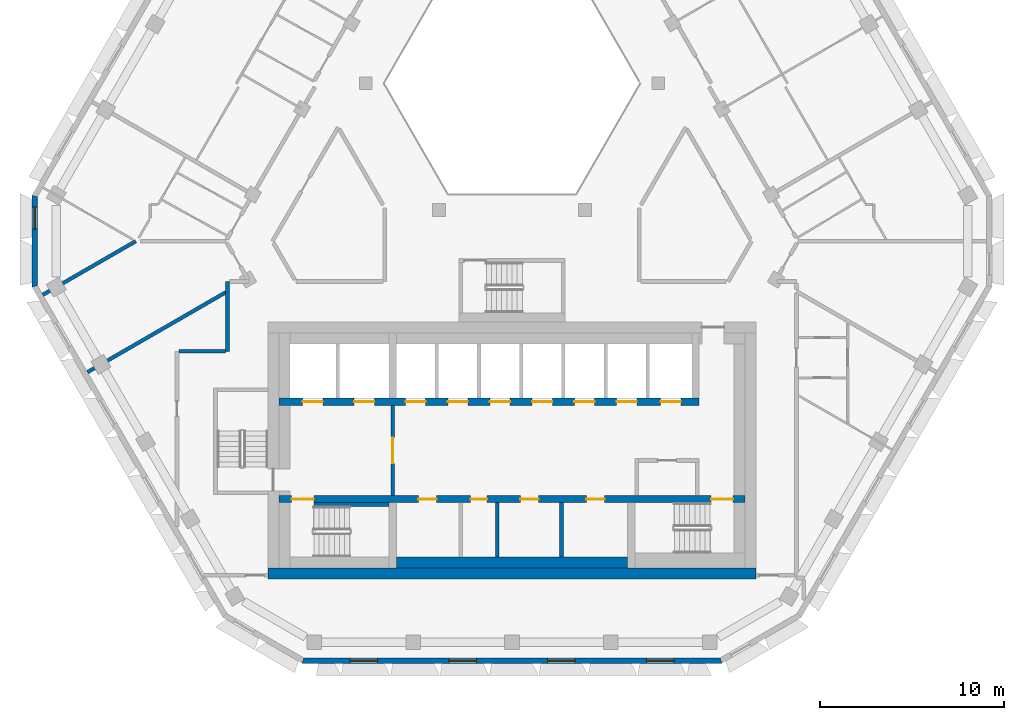
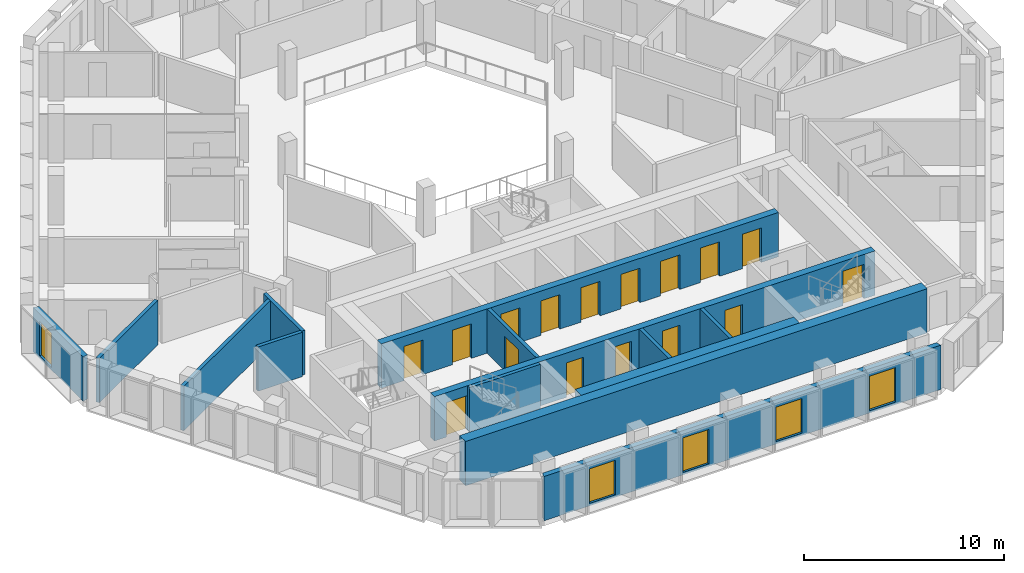
# One storey, part 3 of 15: 16 doors, 14 walls, 5 windows, 21 openings.
"""IFC4 building model written with IfcOpenShell, lengths in metres."""

from ifc_helpers import new_model, si_unit, direction, frame, frame_2d, origin, place, context, subcontext, project, spatial, polyline, rectangle, outline, extrude, material, layer, layer_set, type_object, element, fill, save


model = new_model("IFC4")

# Units and contexts
model_context = context("Model", 3, precision=1e-05, world=origin(), true_north=direction((0.0, 1.0)))
body_context = subcontext(model_context, "Body", "Model", "MODEL_VIEW")
ifc_project = project(units=[si_unit("LENGTHUNIT", "METRE"), si_unit("AREAUNIT", "SQUARE_METRE"), si_unit("VOLUMEUNIT", "CUBIC_METRE"), si_unit("PLANEANGLEUNIT", "RADIAN"), si_unit("MASSUNIT", "GRAM", prefix="KILO")], contexts=[model_context])

# Site, building, storey
site_placement = place(None, origin())
site = spatial("IfcSite", under=ifc_project, at=site_placement, CompositionType="ELEMENT")
building_placement = place(site_placement, origin())
building = spatial("IfcBuilding", under=site, at=building_placement, Name="Beryl Residences", CompositionType="ELEMENT")
storey_placement = place(building_placement, frame((0.0, 0.0, 193.199951171875)))
storey = spatial("IfcBuildingStorey", under=building, at=storey_placement, Name="L59", CompositionType="ELEMENT", Elevation=193.199951171875)

# Wall, opening, window
ifc_material_1 = material(Name="Composite metal panel with mineral wool insulation")
ifc_layer_1 = layer(ifc_material_1, 0.300048828125)
ifc_layer_set_1 = layer_set([ifc_layer_1], Name="ES1 pale metal composite panel wall 300 mm")
wall_type_1 = type_object("IfcWallType", Name="ES1 pale metal composite panel wall 300 mm", PredefinedType="SOLIDWALL", material=ifc_layer_set_1)
wall_1_placement = place(storey_placement, frame((-26.00390625, 1.89990234375, 0.0), z_axis=(0.0, 0.0, 1.0), x_axis=(0.0, -1.0, 0.0)))
wall_1 = element("IfcWall", 1, at=wall_1_placement, inside=storey, type_object=wall_type_1, Name="ES1 external wall L59 NW-SW", PredefinedType="SOLIDWALL", context=body_context, shape_type="SweptSolid", body=[
    extrude(outline(polyline([(0.0, -0.14990234375), (5.0, -0.14990234375), (4.919677734375, 0.14990234375), (0.080322265625, 0.14990234375), (0.0, -0.14990234375)])), origin(), (0.0, 0.0, 1.0), 2.699951171875),
])
opening_1_placement = place(wall_1_placement, frame((0.64990234375, 0.0, 0.14990234375)))
opening_1 = element("IfcOpeningElement", 2, at=opening_1_placement, cuts=wall_1, Name="Opening W2", PredefinedType="OPENING", context=body_context, shape_type="SweptSolid", body=[
    extrude(rectangle(XDim=1.199951171875, YDim=2.10009765625, at=frame_2d((0.60009765625, 1.050048828125))), frame((0.0, 0.159912109375, 0.0), z_axis=(0.0, -1.0, 0.0), x_axis=(1.0, 0.0, 0.0)), (0.0, 0.0, 1.0), 0.320068359375),
])
ifc_material_2 = material(Name="Aluminium and clear glass", Category="aluminium")
window_type_1 = type_object("IfcWindowType", Name="W2 chamfer window 1200 x 2100 mm", PartitioningType="SINGLE_PANEL", PredefinedType="WINDOW", material=ifc_material_2)
window_1_placement = place(opening_1_placement, origin())
window_1 = element("IfcWindow", 3, at=window_1_placement, inside=storey, type_object=window_type_1, Name="W2 window L59 NW-SW 1", OverallHeight=2.10009765625, OverallWidth=1.199951171875, PartitioningType="SINGLE_PANEL", PredefinedType="WINDOW", context=body_context, shape_type="SweptSolid", body=[
    extrude(rectangle(XDim=1.199951171875, YDim=2.10009765625, at=frame_2d((0.60009765625, 1.050048828125))), frame((0.0, 0.030029296875, 0.0), z_axis=(0.0, -1.0, 0.0), x_axis=(1.0, 0.0, 0.0)), (0.0, 0.0, 1.0), 0.06005859375),
])
fill(opening_1, window_1)

# Wall, openings, windows
wall_2_placement = place(storey_placement, frame((-11.430908203125, -23.449951171875, 0.0), z_axis=(0.0, 0.0, 1.0), x_axis=(1.0, 0.0, 0.0)))
wall_2 = element("IfcWall", 4, at=wall_2_placement, inside=storey, type_object=wall_type_1, Name="ES1 external wall L59 S", PredefinedType="SOLIDWALL", context=body_context, shape_type="SweptSolid", body=[
    extrude(outline(polyline([(0.0, -0.14990234375), (22.86181640625, -0.14990234375), (22.781494140625, 0.14990234375), (0.080322265625, 0.14990234375), (0.0, -0.14990234375)])), origin(), (0.0, 0.0, 1.0), 2.699951171875),
])
opening_2_placement = place(wall_2_placement, frame((2.60595703125, 0.0, 0.14990234375)))
opening_2 = element("IfcOpeningElement", 5, at=opening_2_placement, cuts=wall_2, Name="Opening W1", PredefinedType="OPENING", context=body_context, shape_type="SweptSolid", body=[
    extrude(rectangle(XDim=1.5, YDim=2.10009765625, at=frame_2d((0.75, 1.050048828125))), frame((0.0, 0.159912109375, 0.0), z_axis=(0.0, -1.0, 0.0), x_axis=(1.0, 0.0, 0.0)), (0.0, 0.0, 1.0), 0.320068359375),
])
opening_3_placement = place(wall_2_placement, frame((7.989990234375, 0.0, 0.14990234375)))
opening_3 = element("IfcOpeningElement", 6, at=opening_3_placement, cuts=wall_2, Name="Opening W1", PredefinedType="OPENING", context=body_context, shape_type="SweptSolid", body=[
    extrude(rectangle(XDim=1.5, YDim=2.10009765625, at=frame_2d((0.75, 1.050048828125))), frame((0.0, 0.159912109375, 0.0), z_axis=(0.0, -1.0, 0.0), x_axis=(1.0, 0.0, 0.0)), (0.0, 0.0, 1.0), 0.320068359375),
])
opening_4_placement = place(wall_2_placement, frame((13.3740234375, 0.0, 0.14990234375)))
opening_4 = element("IfcOpeningElement", 7, at=opening_4_placement, cuts=wall_2, Name="Opening W1", PredefinedType="OPENING", context=body_context, shape_type="SweptSolid", body=[
    extrude(rectangle(XDim=1.5, YDim=2.10009765625, at=frame_2d((0.75, 1.050048828125))), frame((0.0, 0.159912109375, 0.0), z_axis=(0.0, -1.0, 0.0), x_axis=(1.0, 0.0, 0.0)), (0.0, 0.0, 1.0), 0.320068359375),
])
opening_5_placement = place(wall_2_placement, frame((18.758056640625, 0.0, 0.14990234375)))
opening_5 = element("IfcOpeningElement", 8, at=opening_5_placement, cuts=wall_2, Name="Opening W1", PredefinedType="OPENING", context=body_context, shape_type="SweptSolid", body=[
    extrude(rectangle(XDim=1.5, YDim=2.10009765625, at=frame_2d((0.75, 1.050048828125))), frame((0.0, 0.159912109375, 0.0), z_axis=(0.0, -1.0, 0.0), x_axis=(1.0, 0.0, 0.0)), (0.0, 0.0, 1.0), 0.320068359375),
])
ifc_material_3 = material(Name="Aluminium and clear glass", Category="aluminium")
window_type_2 = type_object("IfcWindowType", Name="W1 cell window 1500 x 2100 mm", PartitioningType="SINGLE_PANEL", PredefinedType="WINDOW", material=ifc_material_3)
window_2_placement = place(opening_2_placement, origin())
window_2 = element("IfcWindow", 9, at=window_2_placement, inside=storey, type_object=window_type_2, Name="W1 window L59 S 2", OverallHeight=2.10009765625, OverallWidth=1.5, PartitioningType="SINGLE_PANEL", PredefinedType="WINDOW", context=body_context, shape_type="SweptSolid", body=[
    extrude(rectangle(XDim=1.5, YDim=2.10009765625, at=frame_2d((0.75, 1.050048828125))), frame((0.0, 0.030029296875, 0.0), z_axis=(0.0, -1.0, 0.0), x_axis=(1.0, 0.0, 0.0)), (0.0, 0.0, 1.0), 0.06005859375),
])
fill(opening_2, window_2)
window_3_placement = place(opening_3_placement, origin())
window_3 = element("IfcWindow", 10, at=window_3_placement, inside=storey, type_object=window_type_2, Name="W1 window L59 S 4", OverallHeight=2.10009765625, OverallWidth=1.5, PartitioningType="SINGLE_PANEL", PredefinedType="WINDOW", context=body_context, shape_type="SweptSolid", body=[
    extrude(rectangle(XDim=1.5, YDim=2.10009765625, at=frame_2d((0.75, 1.050048828125))), frame((0.0, 0.030029296875, 0.0), z_axis=(0.0, -1.0, 0.0), x_axis=(1.0, 0.0, 0.0)), (0.0, 0.0, 1.0), 0.06005859375),
])
fill(opening_3, window_3)
window_4_placement = place(opening_4_placement, origin())
window_4 = element("IfcWindow", 11, at=window_4_placement, inside=storey, type_object=window_type_2, Name="W1 window L59 S 6", OverallHeight=2.10009765625, OverallWidth=1.5, PartitioningType="SINGLE_PANEL", PredefinedType="WINDOW", context=body_context, shape_type="SweptSolid", body=[
    extrude(rectangle(XDim=1.5, YDim=2.10009765625, at=frame_2d((0.75, 1.050048828125))), frame((0.0, 0.030029296875, 0.0), z_axis=(0.0, -1.0, 0.0), x_axis=(1.0, 0.0, 0.0)), (0.0, 0.0, 1.0), 0.06005859375),
])
fill(opening_4, window_4)
window_5_placement = place(opening_5_placement, origin())
window_5 = element("IfcWindow", 12, at=window_5_placement, inside=storey, type_object=window_type_2, Name="W1 window L59 S 8", OverallHeight=2.10009765625, OverallWidth=1.5, PartitioningType="SINGLE_PANEL", PredefinedType="WINDOW", context=body_context, shape_type="SweptSolid", body=[
    extrude(rectangle(XDim=1.5, YDim=2.10009765625, at=frame_2d((0.75, 1.050048828125))), frame((0.0, 0.030029296875, 0.0), z_axis=(0.0, -1.0, 0.0), x_axis=(1.0, 0.0, 0.0)), (0.0, 0.0, 1.0), 0.06005859375),
])
fill(opening_5, window_5)

# Wall, opening, door
ifc_material_4 = material(Name="Concrete masonry", Category="masonry")
ifc_layer_2 = layer(ifc_material_4, 0.199951171875)
ifc_layer_set_2 = layer_set([ifc_layer_2], Name="PT13 lobby wall 200 mm")
wall_type_2 = type_object("IfcWallType", Name="PT13 lobby wall 200 mm", PredefinedType="PARTITIONING", material=ifc_layer_set_2)
wall_3_placement = place(storey_placement, frame((-6.5, -14.449951171875, 0.0), z_axis=(0.0, 0.0, 1.0), x_axis=(0.0, 1.0, 0.0)))
wall_3 = element("IfcWall", 13, at=wall_3_placement, inside=storey, type_object=wall_type_2, Name="Lobby wall 12", PredefinedType="PARTITIONING", context=body_context, shape_type="SweptSolid", body=[
    extrude(rectangle(XDim=4.89990234375, YDim=0.199951171875, at=frame_2d((2.449951171875, 0.0))), origin(), (0.0, 0.0, 1.0), 2.699951171875),
])
opening_6_placement = place(wall_3_placement, frame((3.14990234375, 0.0, 0.0), z_axis=(0.0, 0.0, 1.0), x_axis=(-1.0, 0.0, 0.0)))
opening_6 = element("IfcOpeningElement", 14, at=opening_6_placement, cuts=wall_3, Name="Opening FD-FFL", PredefinedType="OPENING", context=body_context, shape_type="SweptSolid", body=[
    extrude(rectangle(XDim=1.39990234375, YDim=2.10009765625, at=frame_2d((0.699951171875, 1.050048828125))), frame((0.0, 0.10986328125, 0.0), z_axis=(0.0, -1.0, 0.0), x_axis=(1.0, 0.0, 0.0)), (0.0, 0.0, 1.0), 0.219970703125),
])
ifc_material_5 = material(Name="Steel door leaf in steel frame", Category="steel")
door_type_1 = type_object("IfcDoorType", Name="D5 lobby door 1400 x 2100 mm", OperationType="DOUBLE_DOOR_SINGLE_SWING", PredefinedType="DOOR", material=ifc_material_5)
door_1_placement = place(opening_6_placement, origin())
door_1 = element("IfcDoor", 15, at=door_1_placement, inside=storey, type_object=door_type_1, Name="Door FD-FFL L59 001", OperationType="DOUBLE_DOOR_SINGLE_SWING", OverallHeight=2.10009765625, OverallWidth=1.39990234375, PredefinedType="DOOR", context=body_context, shape_type="SweptSolid", body=[
    extrude(rectangle(XDim=1.39990234375, YDim=2.10009765625, at=frame_2d((0.699951171875, 1.050048828125))), frame((0.0, 0.02490234375, 0.0), z_axis=(0.0, -1.0, 0.0), x_axis=(1.0, 0.0, 0.0)), (0.0, 0.0, 1.0), 0.050048828125),
])
fill(opening_6, door_1)

# Walls
ifc_material_6 = material(Name="Acoustic double stud gypsum board wall")
ifc_layer_3 = layer(ifc_material_6, 0.199951171875)
ifc_layer_set_3 = layer_set([ifc_layer_3], Name="PT3 party wall 200 mm acoustic double stud")
wall_type_3 = type_object("IfcWallType", Name="PT3 party wall 200 mm acoustic double stud", PredefinedType="PARTITIONING", material=ifc_layer_set_3)
wall_4_placement = place(storey_placement, frame((-23.1298828125, -7.737060546875, 0.0), z_axis=(0.0, 0.0, 1.0), x_axis=(0.86598451299, 0.500070818246, 0.0)))
element("IfcWall", 16, at=wall_4_placement, inside=storey, type_object=wall_type_3, Name="Wall PT3 L59 011", PredefinedType="PARTITIONING", context=body_context, shape_type="SweptSolid", body=[
    extrude(rectangle(XDim=8.695068359375, YDim=0.199951171875, at=frame_2d((4.34765625, 0.0))), origin(), (0.0, 0.0, 1.0), 2.699951171875),
])
wall_5_placement = place(storey_placement, frame((-25.56298828125, -3.52392578125, 0.0), z_axis=(0.0, 0.0, 1.0), x_axis=(0.866128586522, 0.499821239653, 0.0)))
element("IfcWall", 17, at=wall_5_placement, inside=storey, type_object=wall_type_3, Name="Wall PT3 L59 012", PredefinedType="PARTITIONING", context=body_context, shape_type="SweptSolid", body=[
    extrude(rectangle(XDim=5.847900390625, YDim=0.199951171875, at=frame_2d((2.923828125, 0.0))), origin(), (0.0, 0.0, 1.0), 2.699951171875),
])
ifc_material_7 = material(Name="Double stud gypsum board wall")
ifc_layer_4 = layer(ifc_material_7, 0.199951171875)
ifc_layer_set_4 = layer_set([ifc_layer_4], Name="PT4 corridor wall 200 mm double stud")
wall_type_4 = type_object("IfcWallType", Name="PT4 corridor wall 200 mm double stud", PredefinedType="PARTITIONING", material=ifc_layer_set_4)
wall_6_placement = place(storey_placement, frame((-18.14892578125, -6.60009765625, 0.0), z_axis=(0.0, 0.0, 1.0), x_axis=(1.0, 0.0, 0.0)))
element("IfcWall", 18, at=wall_6_placement, inside=storey, type_object=wall_type_4, Name="Wall PT4 L59 008", PredefinedType="PARTITIONING", context=body_context, shape_type="SweptSolid", body=[
    extrude(rectangle(XDim=2.548828125, YDim=0.199951171875, at=frame_2d((1.2744140625, 0.0))), origin(), (0.0, 0.0, 1.0), 2.699951171875),
])
wall_7_placement = place(storey_placement, frame((-15.5, -6.60009765625, 0.0), z_axis=(0.0, 0.0, 1.0), x_axis=(0.0, 1.0, 0.0)))
element("IfcWall", 19, at=wall_7_placement, inside=storey, type_object=wall_type_4, Name="Wall PT4 L59 024", PredefinedType="PARTITIONING", context=body_context, shape_type="SweptSolid", body=[
    extrude(rectangle(XDim=3.799072265625, YDim=0.199951171875, at=frame_2d((1.8994140625, 0.0))), origin(), (0.0, 0.0, 1.0), 2.699951171875),
])
ifc_material_8 = material(Name="Concrete C40/50", Category="concrete")
ifc_layer_5 = layer(ifc_material_8, 0.199951171875)
ifc_layer_set_5 = layer_set([ifc_layer_5], Name="PT5 stair enclosure wall 200 mm reinforced concrete C40/50")
wall_type_5 = type_object("IfcWallType", Name="PT5 stair enclosure wall 200 mm reinforced concrete C40/50", PredefinedType="SOLIDWALL", material=ifc_layer_set_5)
wall_8_placement = place(storey_placement, frame((-10.800048828125, -14.949951171875, 0.0), z_axis=(0.0, 0.0, 1.0), x_axis=(1.0, 0.0, 0.0)))
element("IfcWall", 20, at=wall_8_placement, inside=storey, type_object=wall_type_5, Name="Stair wall 10", PredefinedType="SOLIDWALL", context=body_context, shape_type="SweptSolid", body=[
    extrude(rectangle(XDim=4.10009765625, YDim=0.199951171875, at=frame_2d((2.050048828125, 0.0))), origin(), (0.0, 0.0, 1.0), 2.699951171875),
])
ifc_material_9 = material(Name="Concrete masonry", Category="masonry")
ifc_layer_6 = layer(ifc_material_9, 0.199951171875)
ifc_layer_set_6 = layer_set([ifc_layer_6], Name="PT8-200 service room wall 200 mm")
wall_type_6 = type_object("IfcWallType", Name="PT8-200 service room wall 200 mm", PredefinedType="PARTITIONING", material=ifc_layer_set_6)
for number, where, z_axis, x_axis, name in (
    (21, (-0.800048828125, -17.800048828125, 0.0), (0.0, 0.0, 1.0), (0.0, 1.0, 0.0), "Core room wall 18"),
    (22, (2.699951171875, -17.800048828125, 0.0), (0.0, 0.0, 1.0), (0.0, 1.0, 0.0), "Core room wall 20"),
):
    element("IfcWall", number, at=place(storey_placement, frame(where, z_axis=z_axis, x_axis=x_axis)), inside=storey, type_object=wall_type_6, Name=name, PredefinedType="PARTITIONING", context=body_context, shape_type="SweptSolid", body=[
        extrude(rectangle(XDim=2.949951171875, YDim=0.199951171875, at=frame_2d((1.47509765625, 0.0))), origin(), (0.0, 0.0, 1.0), 2.699951171875),
    ])
ifc_material_10 = material(Name="Concrete masonry", Category="masonry")
ifc_layer_7 = layer(ifc_material_10, 0.60009765625)
ifc_layer_set_7 = layer_set([ifc_layer_7], Name="PT8-600 service room wall 600 mm")
wall_type_7 = type_object("IfcWallType", Name="PT8-600 service room wall 600 mm", PredefinedType="PARTITIONING", material=ifc_layer_set_7)
wall_9_placement = place(storey_placement, frame((-6.300048828125, -18.10009765625, 0.0), z_axis=(0.0, 0.0, 1.0), x_axis=(1.0, 0.0, 0.0)))
element("IfcWall", 23, at=wall_9_placement, inside=storey, type_object=wall_type_7, Name="Core room wall 13", PredefinedType="PARTITIONING", context=body_context, shape_type="SweptSolid", body=[
    extrude(rectangle(XDim=12.60009765625, YDim=0.60009765625, at=frame_2d((6.300048828125, 0.0))), origin(), (0.0, 0.0, 1.0), 2.699951171875),
])
ifc_material_11 = material(Name="Concrete C50/60", Category="concrete")
ifc_layer_8 = layer(ifc_material_11, 0.60009765625)
ifc_layer_set_8 = layer_set([ifc_layer_8], Name="SW4 core outer wall 600 mm C50/60")
wall_type_8 = type_object("IfcWallType", Name="SW4 core outer wall 600 mm C50/60", PredefinedType="SHEAR", material=ifc_layer_set_8)
wall_10_placement = place(storey_placement, frame((-13.300048828125, -18.699951171875, 0.0), z_axis=(0.0, 0.0, 1.0), x_axis=(1.0, 0.0, 0.0)))
element("IfcWall", 24, at=wall_10_placement, inside=storey, type_object=wall_type_8, Name="Core wall S L59", PredefinedType="SHEAR", context=body_context, shape_type="SweptSolid", body=[
    extrude(rectangle(XDim=26.60009765625, YDim=0.60009765625, at=frame_2d((13.300048828125, 0.0))), origin(), (0.0, 0.0, 1.0), 2.699951171875),
])

# Wall, openings, doors
ifc_material_12 = material(Name="Concrete C50/60", Category="concrete")
ifc_layer_9 = layer(ifc_material_12, 0.39990234375)
ifc_layer_set_9 = layer_set([ifc_layer_9], Name="SW9 core internal wall 400 mm C50/60")
wall_type_9 = type_object("IfcWallType", Name="SW9 core internal wall 400 mm C50/60", PredefinedType="SHEAR", material=ifc_layer_set_9)
wall_11_placement = place(storey_placement, frame((-12.699951171875, -14.64990234375, 0.0), z_axis=(0.0, 0.0, 1.0), x_axis=(1.0, 0.0, 0.0)))
wall_11 = element("IfcWall", 25, at=wall_11_placement, inside=storey, type_object=wall_type_9, Name="Core wall SP1 L59", PredefinedType="SHEAR", context=body_context, shape_type="SweptSolid", body=[
    extrude(rectangle(XDim=25.39990234375, YDim=0.39990234375, at=frame_2d((12.699951171875, 0.0))), origin(), (0.0, 0.0, 1.0), 2.699951171875),
])
opening_7_placement = place(wall_11_placement, frame((1.89990234375, 0.0, 0.0), z_axis=(0.0, 0.0, 1.0), x_axis=(-1.0, 0.0, 0.0)))
opening_7 = element("IfcOpeningElement", 26, at=opening_7_placement, cuts=wall_11, Name="Opening SD-1", PredefinedType="OPENING", context=body_context, shape_type="SweptSolid", body=[
    extrude(rectangle(XDim=1.199951171875, YDim=2.10009765625, at=frame_2d((0.60009765625, 1.050048828125))), frame((0.0, 0.2099609375, 0.0), z_axis=(0.0, -1.0, 0.0), x_axis=(1.0, 0.0, 0.0)), (0.0, 0.0, 1.0), 0.419921875),
])
opening_8_placement = place(wall_11_placement, frame((24.75, 0.0, 0.0), z_axis=(0.0, 0.0, 1.0), x_axis=(-1.0, 0.0, 0.0)))
opening_8 = element("IfcOpeningElement", 27, at=opening_8_placement, cuts=wall_11, Name="Opening SD-3", PredefinedType="OPENING", context=body_context, shape_type="SweptSolid", body=[
    extrude(rectangle(XDim=1.199951171875, YDim=2.10009765625, at=frame_2d((0.60009765625, 1.050048828125))), frame((0.0, 0.2099609375, 0.0), z_axis=(0.0, -1.0, 0.0), x_axis=(1.0, 0.0, 0.0)), (0.0, 0.0, 1.0), 0.419921875),
])
opening_9_placement = place(wall_11_placement, frame((8.60009765625, 0.0, 0.0), z_axis=(0.0, 0.0, 1.0), x_axis=(-1.0, 0.0, 0.0)))
opening_9 = element("IfcOpeningElement", 28, at=opening_9_placement, cuts=wall_11, Name="Opening CD-D-S1", PredefinedType="OPENING", context=body_context, shape_type="SweptSolid", body=[
    extrude(rectangle(XDim=1.0, YDim=2.10009765625, at=frame_2d((0.5, 1.050048828125))), frame((0.0, 0.2099609375, 0.0), z_axis=(0.0, -1.0, 0.0), x_axis=(1.0, 0.0, 0.0)), (0.0, 0.0, 1.0), 0.419921875),
])
opening_10_placement = place(wall_11_placement, frame((11.349853515625, 0.0, 0.0), z_axis=(0.0, 0.0, 1.0), x_axis=(-1.0, 0.0, 0.0)))
opening_10 = element("IfcOpeningElement", 29, at=opening_10_placement, cuts=wall_11, Name="Opening CD-D-S2-900", PredefinedType="OPENING", context=body_context, shape_type="SweptSolid", body=[
    extrude(rectangle(XDim=0.89990234375, YDim=2.10009765625, at=frame_2d((0.449951171875, 1.050048828125))), frame((0.0, 0.2099609375, 0.0), z_axis=(0.0, -1.0, 0.0), x_axis=(1.0, 0.0, 0.0)), (0.0, 0.0, 1.0), 0.419921875),
])
opening_11_placement = place(wall_11_placement, frame((14.14990234375, 0.0, 0.0), z_axis=(0.0, 0.0, 1.0), x_axis=(-1.0, 0.0, 0.0)))
opening_11 = element("IfcOpeningElement", 30, at=opening_11_placement, cuts=wall_11, Name="Opening CD-D-S3", PredefinedType="OPENING", context=body_context, shape_type="SweptSolid", body=[
    extrude(rectangle(XDim=1.0, YDim=2.10009765625, at=frame_2d((0.5, 1.050048828125))), frame((0.0, 0.2099609375, 0.0), z_axis=(0.0, -1.0, 0.0), x_axis=(1.0, 0.0, 0.0)), (0.0, 0.0, 1.0), 0.419921875),
])
opening_12_placement = place(wall_11_placement, frame((17.75, 0.0, 0.0), z_axis=(0.0, 0.0, 1.0), x_axis=(-1.0, 0.0, 0.0)))
opening_12 = element("IfcOpeningElement", 31, at=opening_12_placement, cuts=wall_11, Name="Opening CD-D-S4", PredefinedType="OPENING", context=body_context, shape_type="SweptSolid", body=[
    extrude(rectangle(XDim=1.0, YDim=2.10009765625, at=frame_2d((0.5, 1.050048828125))), frame((0.0, 0.2099609375, 0.0), z_axis=(0.0, -1.0, 0.0), x_axis=(1.0, 0.0, 0.0)), (0.0, 0.0, 1.0), 0.419921875),
])
ifc_material_13 = material(Name="Steel door leaf in steel frame", Category="steel")
door_type_2 = type_object("IfcDoorType", Name="D18 service room door 1000 x 2100 mm", OperationType="SINGLE_SWING_LEFT", PredefinedType="DOOR", material=ifc_material_13)
door_2_placement = place(opening_9_placement, origin())
door_2 = element("IfcDoor", 32, at=door_2_placement, inside=storey, type_object=door_type_2, Name="Door CD-D-S1 L59 001", OperationType="SINGLE_SWING_RIGHT", OverallHeight=2.10009765625, OverallWidth=1.0, PredefinedType="DOOR", context=body_context, shape_type="SweptSolid", body=[
    extrude(rectangle(XDim=1.0, YDim=2.10009765625, at=frame_2d((0.5, 1.050048828125))), frame((0.0, 0.02490234375, 0.0), z_axis=(0.0, -1.0, 0.0), x_axis=(1.0, 0.0, 0.0)), (0.0, 0.0, 1.0), 0.050048828125),
])
fill(opening_9, door_2)
door_3_placement = place(opening_11_placement, origin())
door_3 = element("IfcDoor", 33, at=door_3_placement, inside=storey, type_object=door_type_2, Name="Door CD-D-S3 L59 001", OperationType="SINGLE_SWING_RIGHT", OverallHeight=2.10009765625, OverallWidth=1.0, PredefinedType="DOOR", context=body_context, shape_type="SweptSolid", body=[
    extrude(rectangle(XDim=1.0, YDim=2.10009765625, at=frame_2d((0.5, 1.050048828125))), frame((0.0, 0.02490234375, 0.0), z_axis=(0.0, -1.0, 0.0), x_axis=(1.0, 0.0, 0.0)), (0.0, 0.0, 1.0), 0.050048828125),
])
fill(opening_11, door_3)
door_4_placement = place(opening_12_placement, origin())
door_4 = element("IfcDoor", 34, at=door_4_placement, inside=storey, type_object=door_type_2, Name="Door CD-D-S4 L59 001", OperationType="SINGLE_SWING_LEFT", OverallHeight=2.10009765625, OverallWidth=1.0, PredefinedType="DOOR", context=body_context, shape_type="SweptSolid", body=[
    extrude(rectangle(XDim=1.0, YDim=2.10009765625, at=frame_2d((0.5, 1.050048828125))), frame((0.0, 0.02490234375, 0.0), z_axis=(0.0, -1.0, 0.0), x_axis=(1.0, 0.0, 0.0)), (0.0, 0.0, 1.0), 0.050048828125),
])
fill(opening_12, door_4)
ifc_material_14 = material(Name="Steel door leaf in steel frame", Category="steel")
door_type_3 = type_object("IfcDoorType", Name="D4 stair door 1200 x 2100 mm", OperationType="SINGLE_SWING_LEFT", PredefinedType="DOOR", material=ifc_material_14)
door_5_placement = place(opening_7_placement, origin())
door_5 = element("IfcDoor", 35, at=door_5_placement, inside=storey, type_object=door_type_3, Name="Door SD-1 L59 001", OperationType="SINGLE_SWING_RIGHT", OverallHeight=2.10009765625, OverallWidth=1.199951171875, PredefinedType="DOOR", context=body_context, shape_type="SweptSolid", body=[
    extrude(rectangle(XDim=1.199951171875, YDim=2.10009765625, at=frame_2d((0.60009765625, 1.050048828125))), frame((0.0, 0.02490234375, 0.0), z_axis=(0.0, -1.0, 0.0), x_axis=(1.0, 0.0, 0.0)), (0.0, 0.0, 1.0), 0.050048828125),
])
fill(opening_7, door_5)
door_6_placement = place(opening_8_placement, origin())
door_6 = element("IfcDoor", 36, at=door_6_placement, inside=storey, type_object=door_type_3, Name="Door SD-3 L59 001", OperationType="SINGLE_SWING_RIGHT", OverallHeight=2.10009765625, OverallWidth=1.199951171875, PredefinedType="DOOR", context=body_context, shape_type="SweptSolid", body=[
    extrude(rectangle(XDim=1.199951171875, YDim=2.10009765625, at=frame_2d((0.60009765625, 1.050048828125))), frame((0.0, 0.02490234375, 0.0), z_axis=(0.0, -1.0, 0.0), x_axis=(1.0, 0.0, 0.0)), (0.0, 0.0, 1.0), 0.050048828125),
])
fill(opening_8, door_6)
ifc_material_15 = material(Name="Steel door leaf in steel frame", Category="steel")
door_type_4 = type_object("IfcDoorType", Name="D6 service room door 900 x 2100 mm", OperationType="SINGLE_SWING_LEFT", PredefinedType="DOOR", material=ifc_material_15)
door_7_placement = place(opening_10_placement, origin())
door_7 = element("IfcDoor", 37, at=door_7_placement, inside=storey, type_object=door_type_4, Name="Door CD-D-S2-900 L59 001", OperationType="SINGLE_SWING_LEFT", OverallHeight=2.10009765625, OverallWidth=0.89990234375, PredefinedType="DOOR", context=body_context, shape_type="SweptSolid", body=[
    extrude(rectangle(XDim=0.89990234375, YDim=2.10009765625, at=frame_2d((0.449951171875, 1.050048828125))), frame((0.0, 0.02490234375, 0.0), z_axis=(0.0, -1.0, 0.0), x_axis=(1.0, 0.0, 0.0)), (0.0, 0.0, 1.0), 0.050048828125),
])
fill(opening_10, door_7)

wall_12_placement = place(storey_placement, frame((-12.699951171875, -9.35009765625, 0.0), z_axis=(0.0, 0.0, 1.0), x_axis=(1.0, 0.0, 0.0)))
wall_12 = element("IfcWall", 38, at=wall_12_placement, inside=storey, type_object=wall_type_9, Name="Core wall SP2 L59", PredefinedType="SHEAR", context=body_context, shape_type="SweptSolid", body=[
    extrude(rectangle(XDim=22.89990234375, YDim=0.39990234375, at=frame_2d((11.449951171875, 0.0))), origin(), (0.0, 0.0, 1.0), 2.699951171875),
])
opening_13_placement = place(wall_12_placement, frame((1.300048828125, 0.0, 0.0)))
opening_13 = element("IfcOpeningElement", 39, at=opening_13_placement, cuts=wall_12, Name="Opening LD-FF1", PredefinedType="OPENING", context=body_context, shape_type="SweptSolid", body=[
    extrude(rectangle(XDim=1.10009765625, YDim=2.10009765625, at=frame_2d((0.550048828125, 1.050048828125))), frame((0.0, 0.2099609375, 0.0), z_axis=(0.0, -1.0, 0.0), x_axis=(1.0, 0.0, 0.0)), (0.0, 0.0, 1.0), 0.419921875),
])
opening_14_placement = place(wall_12_placement, frame((4.10009765625, 0.0, 0.0)))
opening_14 = element("IfcOpeningElement", 40, at=opening_14_placement, cuts=wall_12, Name="Opening LD-FF2", PredefinedType="OPENING", context=body_context, shape_type="SweptSolid", body=[
    extrude(rectangle(XDim=1.10009765625, YDim=2.10009765625, at=frame_2d((0.550048828125, 1.050048828125))), frame((0.0, 0.2099609375, 0.0), z_axis=(0.0, -1.0, 0.0), x_axis=(1.0, 0.0, 0.0)), (0.0, 0.0, 1.0), 0.419921875),
])
opening_15_placement = place(wall_12_placement, frame((6.89990234375, 0.0, 0.0)))
opening_15 = element("IfcOpeningElement", 41, at=opening_15_placement, cuts=wall_12, Name="Opening LD-HR1", PredefinedType="OPENING", context=body_context, shape_type="SweptSolid", body=[
    extrude(rectangle(XDim=1.10009765625, YDim=2.10009765625, at=frame_2d((0.550048828125, 1.050048828125))), frame((0.0, 0.2099609375, 0.0), z_axis=(0.0, -1.0, 0.0), x_axis=(1.0, 0.0, 0.0)), (0.0, 0.0, 1.0), 0.419921875),
])
opening_16_placement = place(wall_12_placement, frame((9.199951171875, 0.0, 0.0)))
opening_16 = element("IfcOpeningElement", 42, at=opening_16_placement, cuts=wall_12, Name="Opening LD-HR2", PredefinedType="OPENING", context=body_context, shape_type="SweptSolid", body=[
    extrude(rectangle(XDim=1.10009765625, YDim=2.10009765625, at=frame_2d((0.550048828125, 1.050048828125))), frame((0.0, 0.2099609375, 0.0), z_axis=(0.0, -1.0, 0.0), x_axis=(1.0, 0.0, 0.0)), (0.0, 0.0, 1.0), 0.419921875),
])
opening_17_placement = place(wall_12_placement, frame((11.5, 0.0, 0.0)))
opening_17 = element("IfcOpeningElement", 43, at=opening_17_placement, cuts=wall_12, Name="Opening LD-HR3", PredefinedType="OPENING", context=body_context, shape_type="SweptSolid", body=[
    extrude(rectangle(XDim=1.10009765625, YDim=2.10009765625, at=frame_2d((0.550048828125, 1.050048828125))), frame((0.0, 0.2099609375, 0.0), z_axis=(0.0, -1.0, 0.0), x_axis=(1.0, 0.0, 0.0)), (0.0, 0.0, 1.0), 0.419921875),
])
opening_18_placement = place(wall_12_placement, frame((13.800048828125, 0.0, 0.0)))
opening_18 = element("IfcOpeningElement", 44, at=opening_18_placement, cuts=wall_12, Name="Opening LD-HR4", PredefinedType="OPENING", context=body_context, shape_type="SweptSolid", body=[
    extrude(rectangle(XDim=1.10009765625, YDim=2.10009765625, at=frame_2d((0.550048828125, 1.050048828125))), frame((0.0, 0.2099609375, 0.0), z_axis=(0.0, -1.0, 0.0), x_axis=(1.0, 0.0, 0.0)), (0.0, 0.0, 1.0), 0.419921875),
])
opening_19_placement = place(wall_12_placement, frame((16.10009765625, 0.0, 0.0)))
opening_19 = element("IfcOpeningElement", 45, at=opening_19_placement, cuts=wall_12, Name="Opening LD-HR5", PredefinedType="OPENING", context=body_context, shape_type="SweptSolid", body=[
    extrude(rectangle(XDim=1.10009765625, YDim=2.10009765625, at=frame_2d((0.550048828125, 1.050048828125))), frame((0.0, 0.2099609375, 0.0), z_axis=(0.0, -1.0, 0.0), x_axis=(1.0, 0.0, 0.0)), (0.0, 0.0, 1.0), 0.419921875),
])
opening_20_placement = place(wall_12_placement, frame((18.39990234375, 0.0, 0.0)))
opening_20 = element("IfcOpeningElement", 46, at=opening_20_placement, cuts=wall_12, Name="Opening LD-HR6", PredefinedType="OPENING", context=body_context, shape_type="SweptSolid", body=[
    extrude(rectangle(XDim=1.10009765625, YDim=2.10009765625, at=frame_2d((0.550048828125, 1.050048828125))), frame((0.0, 0.2099609375, 0.0), z_axis=(0.0, -1.0, 0.0), x_axis=(1.0, 0.0, 0.0)), (0.0, 0.0, 1.0), 0.419921875),
])
opening_21_placement = place(wall_12_placement, frame((20.800048828125, 0.0, 0.0)))
opening_21 = element("IfcOpeningElement", 47, at=opening_21_placement, cuts=wall_12, Name="Opening LD-SL1", PredefinedType="OPENING", context=body_context, shape_type="SweptSolid", body=[
    extrude(rectangle(XDim=1.10009765625, YDim=2.10009765625, at=frame_2d((0.550048828125, 1.050048828125))), frame((0.0, 0.2099609375, 0.0), z_axis=(0.0, -1.0, 0.0), x_axis=(1.0, 0.0, 0.0)), (0.0, 0.0, 1.0), 0.419921875),
])
ifc_material_16 = material(Name="Stainless steel sliding door", Category="steel")
door_type_5 = type_object("IfcDoorType", Name="LD1 lift landing door 1100 x 2100 mm", OperationType="DOUBLE_DOOR_SLIDING", PredefinedType="DOOR", material=ifc_material_16)
door_8_placement = place(opening_13_placement, origin())
door_8 = element("IfcDoor", 48, at=door_8_placement, inside=storey, type_object=door_type_5, Name="Lift landing door FF1", OperationType="DOUBLE_DOOR_SLIDING", OverallHeight=2.10009765625, OverallWidth=1.10009765625, PredefinedType="DOOR", context=body_context, shape_type="SweptSolid", body=[
    extrude(rectangle(XDim=1.10009765625, YDim=2.10009765625, at=frame_2d((0.550048828125, 1.050048828125))), frame((0.0, 0.02490234375, 0.0), z_axis=(0.0, -1.0, 0.0), x_axis=(1.0, 0.0, 0.0)), (0.0, 0.0, 1.0), 0.050048828125),
])
fill(opening_13, door_8)
door_9_placement = place(opening_14_placement, origin())
door_9 = element("IfcDoor", 49, at=door_9_placement, inside=storey, type_object=door_type_5, Name="Lift landing door FF2", OperationType="DOUBLE_DOOR_SLIDING", OverallHeight=2.10009765625, OverallWidth=1.10009765625, PredefinedType="DOOR", context=body_context, shape_type="SweptSolid", body=[
    extrude(rectangle(XDim=1.10009765625, YDim=2.10009765625, at=frame_2d((0.550048828125, 1.050048828125))), frame((0.0, 0.02490234375, 0.0), z_axis=(0.0, -1.0, 0.0), x_axis=(1.0, 0.0, 0.0)), (0.0, 0.0, 1.0), 0.050048828125),
])
fill(opening_14, door_9)
door_10_placement = place(opening_15_placement, origin())
door_10 = element("IfcDoor", 50, at=door_10_placement, inside=storey, type_object=door_type_5, Name="Lift landing door HR1", OperationType="DOUBLE_DOOR_SLIDING", OverallHeight=2.10009765625, OverallWidth=1.10009765625, PredefinedType="DOOR", context=body_context, shape_type="SweptSolid", body=[
    extrude(rectangle(XDim=1.10009765625, YDim=2.10009765625, at=frame_2d((0.550048828125, 1.050048828125))), frame((0.0, 0.02490234375, 0.0), z_axis=(0.0, -1.0, 0.0), x_axis=(1.0, 0.0, 0.0)), (0.0, 0.0, 1.0), 0.050048828125),
])
fill(opening_15, door_10)
door_11_placement = place(opening_16_placement, origin())
door_11 = element("IfcDoor", 51, at=door_11_placement, inside=storey, type_object=door_type_5, Name="Lift landing door HR2", OperationType="DOUBLE_DOOR_SLIDING", OverallHeight=2.10009765625, OverallWidth=1.10009765625, PredefinedType="DOOR", context=body_context, shape_type="SweptSolid", body=[
    extrude(rectangle(XDim=1.10009765625, YDim=2.10009765625, at=frame_2d((0.550048828125, 1.050048828125))), frame((0.0, 0.02490234375, 0.0), z_axis=(0.0, -1.0, 0.0), x_axis=(1.0, 0.0, 0.0)), (0.0, 0.0, 1.0), 0.050048828125),
])
fill(opening_16, door_11)
door_12_placement = place(opening_17_placement, origin())
door_12 = element("IfcDoor", 52, at=door_12_placement, inside=storey, type_object=door_type_5, Name="Lift landing door HR3", OperationType="DOUBLE_DOOR_SLIDING", OverallHeight=2.10009765625, OverallWidth=1.10009765625, PredefinedType="DOOR", context=body_context, shape_type="SweptSolid", body=[
    extrude(rectangle(XDim=1.10009765625, YDim=2.10009765625, at=frame_2d((0.550048828125, 1.050048828125))), frame((0.0, 0.02490234375, 0.0), z_axis=(0.0, -1.0, 0.0), x_axis=(1.0, 0.0, 0.0)), (0.0, 0.0, 1.0), 0.050048828125),
])
fill(opening_17, door_12)
door_13_placement = place(opening_18_placement, origin())
door_13 = element("IfcDoor", 53, at=door_13_placement, inside=storey, type_object=door_type_5, Name="Lift landing door HR4", OperationType="DOUBLE_DOOR_SLIDING", OverallHeight=2.10009765625, OverallWidth=1.10009765625, PredefinedType="DOOR", context=body_context, shape_type="SweptSolid", body=[
    extrude(rectangle(XDim=1.10009765625, YDim=2.10009765625, at=frame_2d((0.550048828125, 1.050048828125))), frame((0.0, 0.02490234375, 0.0), z_axis=(0.0, -1.0, 0.0), x_axis=(1.0, 0.0, 0.0)), (0.0, 0.0, 1.0), 0.050048828125),
])
fill(opening_18, door_13)
door_14_placement = place(opening_19_placement, origin())
door_14 = element("IfcDoor", 54, at=door_14_placement, inside=storey, type_object=door_type_5, Name="Lift landing door HR5", OperationType="DOUBLE_DOOR_SLIDING", OverallHeight=2.10009765625, OverallWidth=1.10009765625, PredefinedType="DOOR", context=body_context, shape_type="SweptSolid", body=[
    extrude(rectangle(XDim=1.10009765625, YDim=2.10009765625, at=frame_2d((0.550048828125, 1.050048828125))), frame((0.0, 0.02490234375, 0.0), z_axis=(0.0, -1.0, 0.0), x_axis=(1.0, 0.0, 0.0)), (0.0, 0.0, 1.0), 0.050048828125),
])
fill(opening_19, door_14)
door_15_placement = place(opening_20_placement, origin())
door_15 = element("IfcDoor", 55, at=door_15_placement, inside=storey, type_object=door_type_5, Name="Lift landing door HR6", OperationType="DOUBLE_DOOR_SLIDING", OverallHeight=2.10009765625, OverallWidth=1.10009765625, PredefinedType="DOOR", context=body_context, shape_type="SweptSolid", body=[
    extrude(rectangle(XDim=1.10009765625, YDim=2.10009765625, at=frame_2d((0.550048828125, 1.050048828125))), frame((0.0, 0.02490234375, 0.0), z_axis=(0.0, -1.0, 0.0), x_axis=(1.0, 0.0, 0.0)), (0.0, 0.0, 1.0), 0.050048828125),
])
fill(opening_20, door_15)
door_16_placement = place(opening_21_placement, origin())
door_16 = element("IfcDoor", 56, at=door_16_placement, inside=storey, type_object=door_type_5, Name="Lift landing door SL1", OperationType="DOUBLE_DOOR_SLIDING", OverallHeight=2.10009765625, OverallWidth=1.10009765625, PredefinedType="DOOR", context=body_context, shape_type="SweptSolid", body=[
    extrude(rectangle(XDim=1.10009765625, YDim=2.10009765625, at=frame_2d((0.550048828125, 1.050048828125))), frame((0.0, 0.02490234375, 0.0), z_axis=(0.0, -1.0, 0.0), x_axis=(1.0, 0.0, 0.0)), (0.0, 0.0, 1.0), 0.050048828125),
])
fill(opening_21, door_16)

save(model, "model.ifc")
